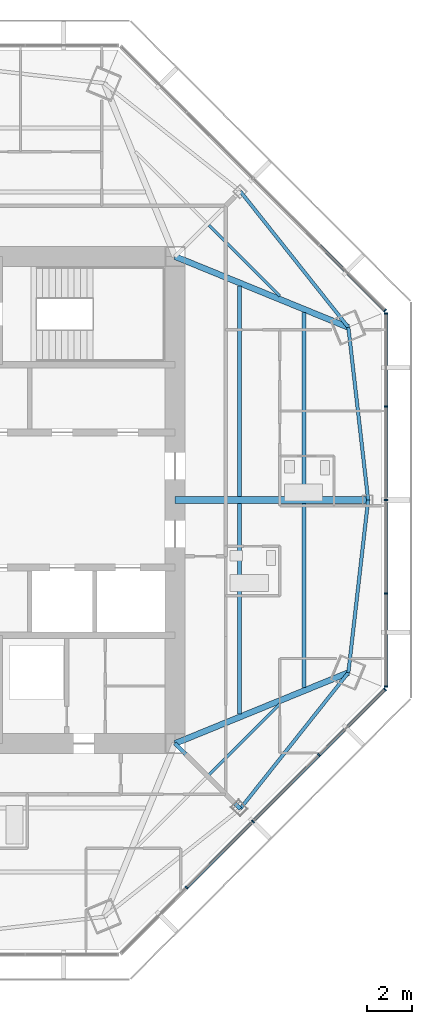
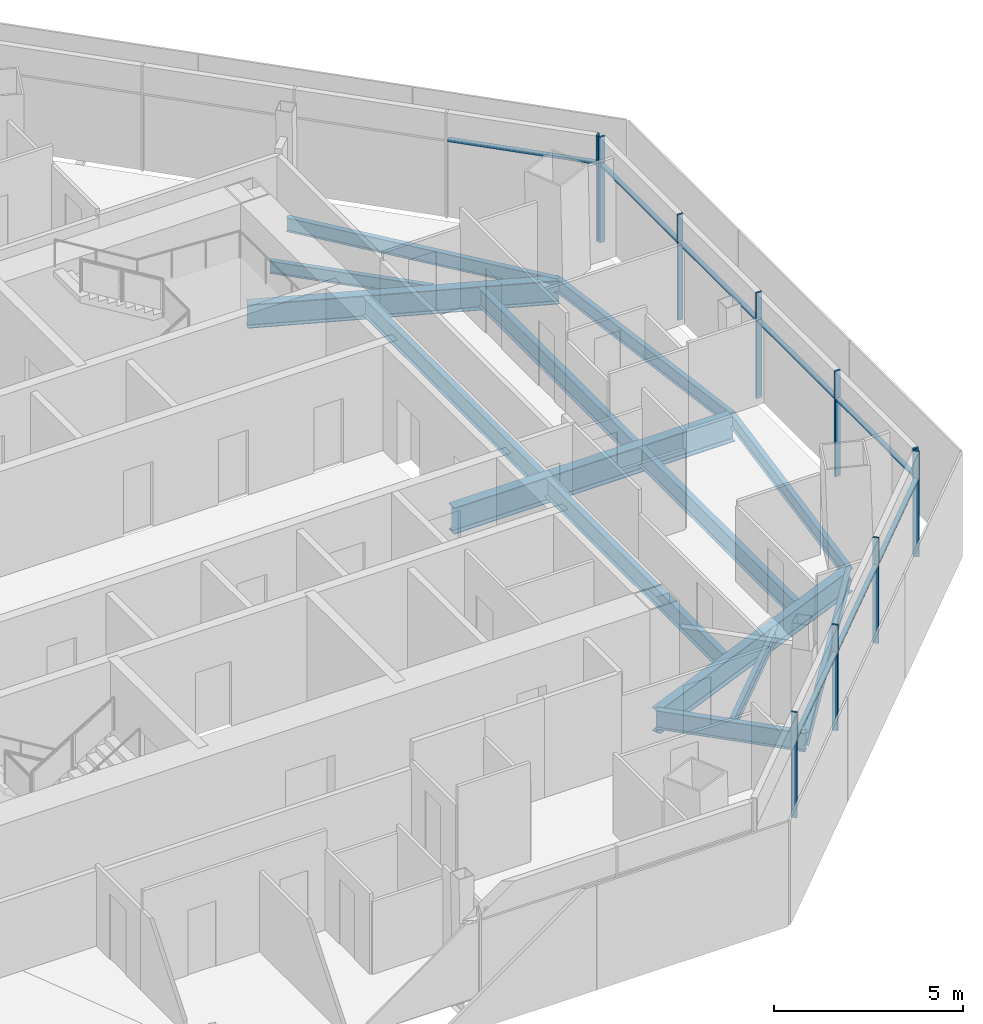
# One storey, part 5 of 15: 18 members, 14 beams, 3 elements without a shape of their own.
"""IFC4 building model written with IfcOpenShell, lengths in metres."""

import ifcopenshell
import ifcopenshell.guid

model = None  # the IFC model being written
_history = None  # IfcOwnerHistory: only IFC2X3 demands one
_inside = {}  # id of a spatial element -> (the spatial element, [elements in it])
_under = {}  # id of a project, library or spatial element -> (it, [spatial elements below it])
_declared = {}  # id of a project -> (the project, [libraries it declares])
_typed = {}  # id of a type object -> (the type object, [elements of that type])
_made_of = {}  # id of a material, layer set ... -> (it, [elements and type objects made of it])


def new_model(schema):
    """Start an empty IFC model of exactly this schema.

    Asked for "IFC4X3", IfcOpenShell would pick the latest addendum, in which some entities
    have other attributes; the version numbers below select the first issue.
    IFC2X3 requires an IfcOwnerHistory on every rooted entity: one is made here for all.
    """
    global model, _history
    if schema == "IFC4X3":
        model = ifcopenshell.file(schema_version=(4, 3, 0, 0))
    else:
        model = ifcopenshell.file(schema=schema)
    _inside.clear()
    _under.clear()
    _declared.clear()
    _typed.clear()
    _made_of.clear()
    _history = None
    if model.schema == "IFC2X3":
        org = make("IfcOrganization", Name="unknown")
        user = make(
            "IfcPersonAndOrganization",
            ThePerson=make("IfcPerson", FamilyName="unknown"),
            TheOrganization=org,
        )
        app = make(
            "IfcApplication",
            ApplicationDeveloper=org,
            Version="unknown",
            ApplicationFullName="unknown",
            ApplicationIdentifier="unknown",
        )
        _history = make(
            "IfcOwnerHistory",
            OwningUser=user,
            OwningApplication=app,
            ChangeAction="ADDED",
            CreationDate=0,
        )
    return model


def make(cls, **values):
    """One entity of the class cls with the attributes given. An attribute that is None is left unset."""
    return model.create_entity(
        cls, **{name: value for name, value in values.items() if value is not None}
    )


def rooted(cls, **values):
    """An entity with a GlobalId (a new one), such as an element, a storey or a relation."""
    return make(cls, GlobalId=ifcopenshell.guid.new(), OwnerHistory=_history, **values)


def si_unit(unit_type, name, prefix=None):
    """IfcSIUnit, for example si_unit("LENGTHUNIT", "METRE", prefix="MILLI")."""
    return make("IfcSIUnit", UnitType=unit_type, Prefix=prefix, Name=name)


def assignment(units):
    """IfcUnitAssignment: the units of a project."""
    return None if units is None else make("IfcUnitAssignment", Units=units)


def point(xyz):
    """IfcCartesianPoint."""
    return None if xyz is None else make("IfcCartesianPoint", Coordinates=xyz)


def direction(xyz):
    """IfcDirection."""
    return None if xyz is None else make("IfcDirection", DirectionRatios=xyz)


def frame(location, z_axis=None, x_axis=None):
    """IfcAxis2Placement3D, a coordinate frame: its origin and axes. An axis left out is left unset."""
    return make(
        "IfcAxis2Placement3D",
        Location=point(location),
        Axis=direction(z_axis),
        RefDirection=direction(x_axis),
    )


def frame_2d(location, x_axis=None):
    """IfcAxis2Placement2D, a coordinate frame in the plane: its origin and x axis."""
    return make(
        "IfcAxis2Placement2D", Location=point(location), RefDirection=direction(x_axis)
    )


def origin():
    """The frame at (0, 0, 0) with its axes left unset."""
    return frame((0.0, 0.0, 0.0))


def origin_2d():
    """The frame at (0, 0) in the plane with its x axis left unset."""
    return frame_2d((0.0, 0.0))


def place(relative_to, where):
    """IfcLocalPlacement: puts the frame where relative to a parent placement (None: the world)."""
    return make(
        "IfcLocalPlacement", PlacementRelTo=relative_to, RelativePlacement=where
    )


def context(
    kind, dimensions, precision=None, world=None, true_north=None, identifier=None
):
    """IfcGeometricRepresentationContext, for example the 3D "Model" context."""
    return make(
        "IfcGeometricRepresentationContext",
        ContextIdentifier=identifier,
        ContextType=kind,
        CoordinateSpaceDimension=dimensions,
        Precision=precision,
        WorldCoordinateSystem=world,
        TrueNorth=true_north,
    )


def subcontext(parent, identifier, kind, view, scale=None):
    """IfcGeometricRepresentationSubContext, for example "Body" below "Model"."""
    return make(
        "IfcGeometricRepresentationSubContext",
        ContextIdentifier=identifier,
        ContextType=kind,
        ParentContext=parent,
        TargetScale=scale,
        TargetView=view,
    )


def project(units=None, contexts=None):
    """IfcProject with its units and contexts."""
    return rooted(
        "IfcProject",
        Name="project",
        RepresentationContexts=contexts,
        UnitsInContext=assignment(units),
    )


def spatial(cls, under=None, at=None, **own):
    """A site, building, storey or space (cls), placed at a placement, below another one or the project."""
    s = rooted(cls, ObjectPlacement=at, **own)
    if under is not None:
        _under.setdefault(under.id(), (under, []))[1].append(s)
    return s


def profile(cls, at=None, kind="AREA", **sizes):
    """A parametric profile (cls). Its sizes go by their IFC names, for example OverallWidth=200.0."""
    return make(cls, ProfileType=kind, Position=at, **sizes)


def rectangle(**sizes):
    """IfcRectangleProfileDef."""
    return profile("IfcRectangleProfileDef", **sizes)


def i_section(**sizes):
    """IfcIShapeProfileDef."""
    return profile("IfcIShapeProfileDef", **sizes)


def extrude(swept, where, along, depth):
    """IfcExtrudedAreaSolid: the profile swept, set in the frame where, extruded along a direction by depth."""
    return make(
        "IfcExtrudedAreaSolid",
        SweptArea=swept,
        Position=where,
        ExtrudedDirection=direction(along),
        Depth=depth,
    )


def shape(context_of_items, identifier, shape_type, items):
    """IfcShapeRepresentation: the items that make up one representation, for example the "Body"."""
    return make(
        "IfcShapeRepresentation",
        ContextOfItems=context_of_items,
        RepresentationIdentifier=identifier,
        RepresentationType=shape_type,
        Items=items,
    )


def source(mapping_origin, context_of_items, identifier, shape_type, items):
    """IfcRepresentationMap: a shape defined once, which mapped items show again and again."""
    return make(
        "IfcRepresentationMap",
        MappingOrigin=mapping_origin,
        MappedRepresentation=shape(context_of_items, identifier, shape_type, items),
    )


def transform(
    local_origin,
    x_axis=None,
    y_axis=None,
    z_axis=None,
    scale=None,
    scale2=None,
    scale3=None,
    uniform=True,
):
    """IfcCartesianTransformationOperator3D, or its non-uniform kind. x_axis, y_axis, z_axis: its Axis1, 2, 3."""
    if uniform:
        return make(
            "IfcCartesianTransformationOperator3D",
            Axis1=direction(x_axis),
            Axis2=direction(y_axis),
            LocalOrigin=point(local_origin),
            Scale=scale,
            Axis3=direction(z_axis),
        )
    return make(
        "IfcCartesianTransformationOperator3DnonUniform",
        Axis1=direction(x_axis),
        Axis2=direction(y_axis),
        LocalOrigin=point(local_origin),
        Scale=scale,
        Axis3=direction(z_axis),
        Scale2=scale2,
        Scale3=scale3,
    )


def mapped(mapping_source, mapping_target):
    """IfcMappedItem: shows the shape of a source again, moved by a transform."""
    return make(
        "IfcMappedItem", MappingSource=mapping_source, MappingTarget=mapping_target
    )


def material(Name=None, Category=None):
    """IfcMaterial."""
    return make("IfcMaterial", Name=Name, Category=Category)


def material_profile(
    of_material, cross_section, Name=None, Category=None, Priority=None
):
    """IfcMaterialProfile: a cross section and its material."""
    return make(
        "IfcMaterialProfile",
        Name=Name,
        Material=of_material,
        Profile=cross_section,
        Priority=Priority,
        Category=Category,
    )


def profile_set(profiles, Name=None, composite=None):
    """IfcMaterialProfileSet."""
    return make(
        "IfcMaterialProfileSet",
        Name=Name,
        MaterialProfiles=profiles,
        CompositeProfile=composite,
    )


def made_of(thing, what):
    """Note that an element or type object is made of a material, layer set ...; save() writes the relation."""
    if what is not None:
        _made_of.setdefault(what.id(), (what, []))[1].append(thing)
    return thing


def type_object(cls, material=None, **own):
    """A type object (cls), such as IfcWallType, which elements share."""
    return made_of(rooted(cls, **own), material)


def type_shapes(of_type, sources):
    """Give a type object the sources (RepresentationMaps) that its elements show as mapped items."""
    of_type.RepresentationMaps = sources


def element(
    cls,
    number,
    at=None,
    inside=None,
    cuts=None,
    type_object=None,
    material=None,
    context=None,
    identifier="Body",
    shape_type=None,
    held_by="IfcProductDefinitionShape",
    body=None,
    shapes=None,
    **own,
):
    """One element of the class cls, such as IfcWall. Its Tag is "e" and its number.

    at: its placement. inside: the storey or other place that contains it. cuts: it is an
    opening in that element (IfcRelVoidsElement). A single representation is given by context,
    identifier, shape_type and body (its items); several are given by shapes. held_by: the class
    of the entity that holds the representations. save() writes the other relations.
    """
    e = rooted(cls, Tag="e%d" % number, ObjectPlacement=at, **own)
    if body is not None:
        shapes = [shape(context, identifier, shape_type, body)]
    if shapes is not None:
        e.Representation = make(held_by, Representations=shapes)
    if inside is not None:
        _inside.setdefault(inside.id(), (inside, []))[1].append(e)
    if cuts is not None:
        rooted(
            "IfcRelVoidsElement", RelatingBuildingElement=cuts, RelatedOpeningElement=e
        )
    if type_object is not None:
        _typed.setdefault(type_object.id(), (type_object, []))[1].append(e)
    return made_of(e, material)


def aggregate(whole, parts):
    """IfcRelAggregates: a whole, such as a stair, and the parts it consists of."""
    return rooted("IfcRelAggregates", RelatingObject=whole, RelatedObjects=parts)


def save(model, path):
    """Write the relations noted so far, then the file.

    IfcRelAggregates (storeys below a building ...), IfcRelContainedInSpatialStructure (elements
    in a storey), IfcRelDefinesByType, IfcRelAssociatesMaterial and IfcRelDeclares: one each for
    every whole, place, type object, material and project.
    """
    for whole, parts in _under.values():
        aggregate(whole, parts)
    for where, things in _inside.values():
        rooted(
            "IfcRelContainedInSpatialStructure",
            RelatedElements=things,
            RelatingStructure=where,
        )
    for kind, things in _typed.values():
        rooted("IfcRelDefinesByType", RelatedObjects=things, RelatingType=kind)
    for what, things in _made_of.values():
        rooted("IfcRelAssociatesMaterial", RelatedObjects=things, RelatingMaterial=what)
    for by, libraries in _declared.values():
        rooted("IfcRelDeclares", RelatingContext=by, RelatedDefinitions=libraries)
    model.write(path)


model = new_model("IFC4")

# Units and contexts
model_context = context("Model", 3, precision=1e-05, world=origin(), true_north=direction((0.0, 1.0)))
body_context = subcontext(model_context, "Body", "Model", "MODEL_VIEW")
ifc_project = project(units=[si_unit("LENGTHUNIT", "METRE"), si_unit("AREAUNIT", "SQUARE_METRE"), si_unit("VOLUMEUNIT", "CUBIC_METRE"), si_unit("PLANEANGLEUNIT", "RADIAN"), si_unit("MASSUNIT", "GRAM", prefix="KILO")], contexts=[model_context])

# Site, building, storey
site_placement = place(None, origin())
site = spatial("IfcSite", under=ifc_project, at=site_placement, CompositionType="ELEMENT")
building_placement = place(site_placement, origin())
building = spatial("IfcBuilding", under=site, at=building_placement, Name="Mashrafa Tower", CompositionType="ELEMENT")
storey_placement = place(building_placement, frame((0.0, 0.0, 277.60009765625)))
storey = spatial("IfcBuildingStorey", under=building, at=storey_placement, Name="L67", CompositionType="ELEMENT", Elevation=277.60009765625)

# Beams
ifc_material_1 = material(Name="Steel ASTM A992", Category="steel")
ifc_material_profile_1 = material_profile(ifc_material_1, i_section(OverallWidth=0.140380859375, OverallDepth=0.40380859375, WebThickness=0.007080078125, FlangeThickness=0.01123046875, FilletRadius=0.01025390625, at=origin_2d()), Name="W16X31")
ifc_profile_set_1 = profile_set([ifc_material_profile_1], Name="Steel ASTM A992")
beam_type_1 = type_object("IfcBeamType", Name="Beam W16X31", PredefinedType="BEAM", material=ifc_profile_set_1)
for number, where, z_axis, x_axis, name in (
    (1, (12.310546875, 12.1845703125, -0.402099609375), (0.707106781187, -0.707106781187, 0.0), (0.707106781187, 0.707106781187, 0.0), "Floor beam L67 019"),
    (2, (15.451171875, -9.0439453125, -0.402099609375), (-0.707106781187, -0.707106781187, 0.0), (0.707106781187, -0.707106781187, 0.0), "Floor beam L67 022"),
):
    element("IfcBeam", number, at=place(storey_placement, frame(where, z_axis=z_axis, x_axis=x_axis)), inside=storey, type_object=beam_type_1, Name=name, PredefinedType="BEAM", context=body_context, shape_type="SweptSolid", body=[
        extrude(i_section(OverallWidth=0.140380859375, OverallDepth=0.40380859375, WebThickness=0.007080078125, FlangeThickness=0.01123046875, FilletRadius=0.01025390625, at=origin_2d()), origin(), (0.0, 0.0, 1.0), 4.44140625),
    ])
ifc_material_2 = material(Name="Steel ASTM A992", Category="steel")
ifc_material_profile_2 = material_profile(ifc_material_2, i_section(OverallWidth=0.15234375, OverallDepth=0.449462890625, WebThickness=0.007568359375, FlangeThickness=0.0107421875, FilletRadius=0.01025390625, at=origin_2d()), Name="W18X35")
ifc_profile_set_2 = profile_set([ifc_material_profile_2], Name="Steel ASTM A992")
beam_type_2 = type_object("IfcBeamType", Name="Beam W18X35", PredefinedType="BEAM", material=ifc_profile_set_2)
for number, where, z_axis, x_axis, name in (
    (3, (13.69482421875, -13.69482421875, -0.4248046875), (0.62194897741, 0.783057768941, 0.0), (-0.783057768941, 0.62194897741, 0.0), "Spandrel beam L67 052"),
    (4, (18.4892578125, -7.658447265625, -0.4248046875), (0.113920842781, 0.993489829631, 0.0), (-0.993489829631, 0.113920842781, 0.0), "Spandrel beam L67 054"),
    (5, (18.4892578125, 7.658447265625, -0.4248046875), (-0.62194897741, 0.783057768941, 0.0), (-0.783057768941, -0.62194897741, 0.0), "Spandrel beam L67 055"),
    (6, (19.367431640625, 0.0, -0.4248046875), (-0.113920842781, 0.993489829631, 0.0), (-0.993489829631, -0.113920842781, 0.0), "Spandrel beam L67 056"),
):
    element("IfcBeam", number, at=place(storey_placement, frame(where, z_axis=z_axis, x_axis=x_axis)), inside=storey, type_object=beam_type_2, Name=name, PredefinedType="BEAM", context=body_context, shape_type="SweptSolid", body=[
        extrude(i_section(OverallWidth=0.15234375, OverallDepth=0.449462890625, WebThickness=0.007568359375, FlangeThickness=0.0107421875, FilletRadius=0.01025390625, at=origin_2d()), origin(), (0.0, 0.0, 1.0), 7.708740234375),
    ])
ifc_material_3 = material(Name="Steel ASTM A992", Category="steel")
ifc_material_profile_3 = material_profile(ifc_material_3, i_section(OverallWidth=0.177978515625, OverallDepth=0.599365234375, WebThickness=0.010009765625, FlangeThickness=0.012939453125, FilletRadius=0.012939453125, at=origin_2d()), Name="W24X55")
ifc_profile_set_3 = profile_set([ifc_material_profile_3], Name="Steel ASTM A992")
beam_type_3 = type_object("IfcBeamType", Name="Beam W24X55", PredefinedType="BEAM", material=ifc_profile_set_3)
for number, where, z_axis, x_axis, name in (
    (7, (13.65576171875, -0.14599609375, -0.499755859375), (0.0, -1.0, 0.0), (1.0, 0.0, 0.0), "Floor beam L67 020"),
    (8, (13.65576171875, 9.4892578125, -0.499755859375), (0.0, -1.0, 0.0), (1.0, 0.0, 0.0), "Floor beam L67 021"),
):
    element("IfcBeam", number, at=place(storey_placement, frame(where, z_axis=z_axis, x_axis=x_axis)), inside=storey, type_object=beam_type_3, Name=name, PredefinedType="BEAM", context=body_context, shape_type="SweptSolid", body=[
        extrude(i_section(OverallWidth=0.177978515625, OverallDepth=0.599365234375, WebThickness=0.010009765625, FlangeThickness=0.012939453125, FilletRadius=0.012939453125, at=origin_2d()), origin(), (0.0, 0.0, 1.0), 9.34326171875),
    ])
for number, where, z_axis, x_axis, name in (
    (9, (16.51171875, -0.14599609375, -0.499755859375), (0.0, -1.0, 0.0), (1.0, 0.0, 0.0), "Floor beam L67 023"),
    (10, (16.51171875, 8.322509765625, -0.499755859375), (0.0, -1.0, 0.0), (1.0, 0.0, 0.0), "Floor beam L67 024"),
):
    element("IfcBeam", number, at=place(storey_placement, frame(where, z_axis=z_axis, x_axis=x_axis)), inside=storey, type_object=beam_type_3, Name=name, PredefinedType="BEAM", context=body_context, shape_type="SweptSolid", body=[
        extrude(i_section(OverallWidth=0.177978515625, OverallDepth=0.599365234375, WebThickness=0.010009765625, FlangeThickness=0.012939453125, FilletRadius=0.012939453125, at=origin_2d()), origin(), (0.0, 0.0, 1.0), 8.176513671875),
    ])
beam_1_placement = place(storey_placement, frame((10.800048828125, -10.800048828125, -0.499755859375), z_axis=(0.707106781187, -0.707106781187, 0.0), x_axis=(0.707106781187, 0.707106781187, 0.0)))
element("IfcBeam", 11, at=beam_1_placement, inside=storey, type_object=beam_type_3, Name="Radial girder L67 035", PredefinedType="BEAM", context=body_context, shape_type="SweptSolid", body=[
    extrude(i_section(OverallWidth=0.177978515625, OverallDepth=0.599365234375, WebThickness=0.010009765625, FlangeThickness=0.012939453125, FilletRadius=0.012939453125, at=origin_2d()), origin(), (0.0, 0.0, 1.0), 4.09375),
])
ifc_material_4 = material(Name="Steel ASTM A992", Category="steel")
ifc_material_profile_4 = material_profile(ifc_material_4, i_section(OverallWidth=0.2666015625, OverallDepth=0.761962890625, WebThickness=0.014404296875, FlangeThickness=0.021484375, FilletRadius=0.0166015625, at=origin_2d()), Name="W30X116")
ifc_profile_set_4 = profile_set([ifc_material_profile_4], Name="Steel ASTM A992")
beam_type_4 = type_object("IfcBeamType", Name="Beam W30X116", PredefinedType="BEAM", material=ifc_profile_set_4)
for number, where, z_axis, x_axis, name in (
    (12, (10.800048828125, -10.800048828125, -0.5810546875), (0.925714948157, 0.378221938495, 0.0), (-0.378221938495, 0.925714948157, 0.0), "Radial girder L67 036"),
    (13, (10.800048828125, 10.800048828125, -0.5810546875), (0.925714948157, -0.378221938495, 0.0), (0.378221938495, 0.925714948157, 0.0), "Radial girder L67 040"),
):
    element("IfcBeam", number, at=place(storey_placement, frame(where, z_axis=z_axis, x_axis=x_axis)), inside=storey, type_object=beam_type_4, Name=name, PredefinedType="BEAM", context=body_context, shape_type="SweptSolid", body=[
        extrude(i_section(OverallWidth=0.2666015625, OverallDepth=0.761962890625, WebThickness=0.014404296875, FlangeThickness=0.021484375, FilletRadius=0.0166015625, at=origin_2d()), origin(), (0.0, 0.0, 1.0), 8.30615234375),
    ])
ifc_material_5 = material(Name="Steel ASTM A992", Category="steel")
ifc_material_profile_5 = material_profile(ifc_material_5, i_section(OverallWidth=0.2919921875, OverallDepth=0.845703125, WebThickness=0.015380859375, FlangeThickness=0.0244140625, FilletRadius=0.017333984375, at=origin_2d()), Name="W33X141")
ifc_profile_set_5 = profile_set([ifc_material_profile_5], Name="Steel ASTM A992")
beam_type_5 = type_object("IfcBeamType", Name="Beam W33X141", PredefinedType="BEAM", material=ifc_profile_set_5)
beam_2_placement = place(storey_placement, frame((10.800048828125, 0.0, -0.623046875), z_axis=(1.0, 0.0, 0.0), x_axis=(0.0, 1.0, 0.0)))
element("IfcBeam", 14, at=beam_2_placement, inside=storey, type_object=beam_type_5, Name="Radial girder L67 037", PredefinedType="BEAM", context=body_context, shape_type="SweptSolid", body=[
    extrude(i_section(OverallWidth=0.2919921875, OverallDepth=0.845703125, WebThickness=0.015380859375, FlangeThickness=0.0244140625, FilletRadius=0.017333984375, at=origin_2d()), origin(), (0.0, 0.0, 1.0), 8.5673828125),
])

# Curtain wall, members
ifc_material_6 = material(Name="Unitised aluminium curtain wall", Category="aluminium")
curtain_wall_type = type_object("IfcCurtainWallType", Name="Apartment curtain wall, zone 4 CW-D 160 deep", PredefinedType="NOTDEFINED", material=ifc_material_6)
curtain_wall_1_placement = place(storey_placement, origin())
curtain_wall_1 = element("IfcCurtainWall", 15, at=curtain_wall_1_placement, inside=storey, type_object=curtain_wall_type, Name="Apartment curtain wall, zone 4 L67 east", PredefinedType="NOTDEFINED")
ifc_material_7 = material(Name="Extruded aluminium mullion", Category="aluminium")
ifc_material_profile_6 = material_profile(ifc_material_7, rectangle(XDim=0.159912109375, YDim=0.06005859375, at=origin_2d()), Name="Mullion 60x160")
ifc_profile_set_6 = profile_set([ifc_material_profile_6], Name="Extruded aluminium mullion")
member_type_1 = type_object("IfcMemberType", Name="Mullion CW-D 60 x 160", PredefinedType="MULLION", material=ifc_profile_set_6)
shared_shape_1 = source(origin(), body_context, "Body", "SweptSolid", [
    extrude(rectangle(XDim=0.159912109375, YDim=0.06005859375, at=origin_2d()), origin(), (0.0, 0.0, 1.0), 3.39990234375),
])
type_shapes(member_type_1, [shared_shape_1])
member_1_placement = place(storey_placement, frame((20.161865234375, -8.278076171875, 0.0), z_axis=(0.0, 0.0, 1.0), x_axis=(-1.0, 0.0, 0.0)))
member_1 = element("IfcMember", 16, at=member_1_placement, type_object=member_type_1, Name="CW-D mullion 1", PredefinedType="MULLION", context=body_context, shape_type="MappedRepresentation", body=[
    mapped(shared_shape_1, transform((0.0, 0.0, 0.0))),
])
member_2_placement = place(storey_placement, frame((20.161865234375, -4.154052734375, 0.0), z_axis=(0.0, 0.0, 1.0), x_axis=(-1.0, 0.0, 0.0)))
member_2 = element("IfcMember", 17, at=member_2_placement, type_object=member_type_1, Name="CW-D mullion 2", PredefinedType="MULLION", context=body_context, shape_type="MappedRepresentation", body=[
    mapped(shared_shape_1, transform((0.0, 0.0, 0.0))),
])
member_3_placement = place(storey_placement, frame((20.161865234375, 0.0, 0.0), z_axis=(0.0, 0.0, 1.0), x_axis=(-1.0, 0.0, 0.0)))
member_3 = element("IfcMember", 18, at=member_3_placement, type_object=member_type_1, Name="CW-D mullion 3", PredefinedType="MULLION", context=body_context, shape_type="MappedRepresentation", body=[
    mapped(shared_shape_1, transform((0.0, 0.0, 0.0))),
])
member_4_placement = place(storey_placement, frame((20.161865234375, 4.154052734375, 0.0), z_axis=(0.0, 0.0, 1.0), x_axis=(-1.0, 0.0, 0.0)))
member_4 = element("IfcMember", 19, at=member_4_placement, type_object=member_type_1, Name="CW-D mullion 4", PredefinedType="MULLION", context=body_context, shape_type="MappedRepresentation", body=[
    mapped(shared_shape_1, transform((0.0, 0.0, 0.0))),
])
member_5_placement = place(storey_placement, frame((20.161865234375, 8.278076171875, 0.0), z_axis=(0.0, 0.0, 1.0), x_axis=(-1.0, 0.0, 0.0)))
member_5 = element("IfcMember", 20, at=member_5_placement, type_object=member_type_1, Name="CW-D mullion 5", PredefinedType="MULLION", context=body_context, shape_type="MappedRepresentation", body=[
    mapped(shared_shape_1, transform((0.0, 0.0, 0.0))),
])

# Curtain wall, member
curtain_wall_2_placement = place(storey_placement, origin())
curtain_wall_2 = element("IfcCurtainWall", 21, at=curtain_wall_2_placement, inside=storey, type_object=curtain_wall_type, Name="Apartment curtain wall, zone 4 L67 north-east", PredefinedType="NOTDEFINED")
member_6_placement = place(storey_placement, frame((20.110107421875, 8.403076171875, 0.0), z_axis=(0.0, 0.0, 1.0), x_axis=(-0.707106781187, -0.707106781187, 0.0)))
member_6 = element("IfcMember", 22, at=member_6_placement, type_object=member_type_1, Name="CW-D mullion 1", PredefinedType="MULLION", context=body_context, shape_type="MappedRepresentation", body=[
    mapped(shared_shape_1, transform((0.0, 0.0, 0.0))),
])

# Curtain wall, members
curtain_wall_3_placement = place(storey_placement, origin())
curtain_wall_3 = element("IfcCurtainWall", 23, at=curtain_wall_3_placement, inside=storey, type_object=curtain_wall_type, Name="Apartment curtain wall, zone 4 L67 south-east", PredefinedType="NOTDEFINED")
member_7_placement = place(storey_placement, frame((11.319091796875, -17.19384765625, 0.0), z_axis=(0.0, 0.0, 1.0), x_axis=(-0.707106781187, 0.707106781187, 0.0)))
member_7 = element("IfcMember", 24, at=member_7_placement, type_object=member_type_1, Name="CW-D mullion 2", PredefinedType="MULLION", context=body_context, shape_type="MappedRepresentation", body=[
    mapped(shared_shape_1, transform((0.0, 0.0, 0.0))),
])
member_8_placement = place(storey_placement, frame((14.256591796875, -14.256591796875, 0.0), z_axis=(0.0, 0.0, 1.0), x_axis=(-0.707106781187, 0.707106781187, 0.0)))
member_8 = element("IfcMember", 25, at=member_8_placement, type_object=member_type_1, Name="CW-D mullion 3", PredefinedType="MULLION", context=body_context, shape_type="MappedRepresentation", body=[
    mapped(shared_shape_1, transform((0.0, 0.0, 0.0))),
])
member_9_placement = place(storey_placement, frame((17.19384765625, -11.319091796875, 0.0), z_axis=(0.0, 0.0, 1.0), x_axis=(-0.707106781187, 0.707106781187, 0.0)))
member_9 = element("IfcMember", 26, at=member_9_placement, type_object=member_type_1, Name="CW-D mullion 4", PredefinedType="MULLION", context=body_context, shape_type="MappedRepresentation", body=[
    mapped(shared_shape_1, transform((0.0, 0.0, 0.0))),
])
member_10_placement = place(storey_placement, frame((20.110107421875, -8.403076171875, 0.0), z_axis=(0.0, 0.0, 1.0), x_axis=(-0.707106781187, 0.707106781187, 0.0)))
member_10 = element("IfcMember", 27, at=member_10_placement, type_object=member_type_1, Name="CW-D mullion 5", PredefinedType="MULLION", context=body_context, shape_type="MappedRepresentation", body=[
    mapped(shared_shape_1, transform((0.0, 0.0, 0.0))),
])

# Member
ifc_material_8 = material(Name="Extruded aluminium transom", Category="aluminium")
ifc_material_profile_7 = material_profile(ifc_material_8, rectangle(XDim=0.1279296875, YDim=0.074951171875, at=origin_2d()), Name="Transom 75x128")
ifc_profile_set_7 = profile_set([ifc_material_profile_7], Name="Extruded aluminium transom")
member_type_2 = type_object("IfcMemberType", Name="Transom CW-D 75 x 128", PredefinedType="MULLION", material=ifc_profile_set_7)
shared_shape_2 = source(origin(), body_context, "Body", "SweptSolid", [
    extrude(rectangle(XDim=0.1279296875, YDim=0.074951171875, at=origin_2d()), origin(), (0.0, 0.0, 1.0), 4.06396484375),
])
member_11_placement = place(storey_placement, frame((20.161865234375, -8.248046875, 2.5), z_axis=(0.0, 1.0, 0.0), x_axis=(-1.0, 0.0, 0.0)))
member_11 = element("IfcMember", 28, at=member_11_placement, type_object=member_type_2, Name="CW-D transom 1", PredefinedType="MULLION", context=body_context, shape_type="MappedRepresentation", body=[
    mapped(shared_shape_2, transform((0.0, 0.0, 0.0))),
])

member_12_placement = place(storey_placement, frame((20.161865234375, 4.18408203125, 2.5), z_axis=(0.0, 1.0, 0.0), x_axis=(-1.0, 0.0, 0.0)))
member_12 = element("IfcMember", 29, at=member_12_placement, type_object=member_type_2, Name="CW-D transom 4", PredefinedType="MULLION", context=body_context, shape_type="MappedRepresentation", body=[
    mapped(shared_shape_2, transform((0.0, 0.0, 0.0))),
])

member_13_placement = place(storey_placement, frame((20.0888671875, 8.42431640625, 2.5), z_axis=(-0.707136817793, 0.707076743304, 0.0), x_axis=(-0.707076743304, -0.707136817793, 0.0)))
member_13 = element("IfcMember", 30, at=member_13_placement, type_object=member_type_2, Name="CW-D transom 1", PredefinedType="MULLION", context=body_context, shape_type="MappedRepresentation", body=[
    mapped(shared_shape_2, transform((0.0, 0.0, 0.0))),
])

aggregate(curtain_wall_2, [member_6, member_13])

member_14_placement = place(storey_placement, frame((17.215087890625, -11.2978515625, 2.5), z_axis=(0.707136817793, 0.707076743304, 0.0), x_axis=(-0.707076743304, 0.707136817793, 0.0)))
member_14 = element("IfcMember", 31, at=member_14_placement, type_object=member_type_2, Name="CW-D transom 4", PredefinedType="MULLION", context=body_context, shape_type="MappedRepresentation", body=[
    mapped(shared_shape_2, transform((0.0, 0.0, 0.0))),
])

shared_shape_3 = source(origin(), body_context, "Body", "SweptSolid", [
    extrude(rectangle(XDim=0.1279296875, YDim=0.074951171875, at=origin_2d()), origin(), (0.0, 0.0, 1.0), 4.093994140625),
])
type_shapes(member_type_2, [shared_shape_2, shared_shape_3])
member_15_placement = place(storey_placement, frame((20.161865234375, -4.1240234375, 2.5), z_axis=(0.0, 1.0, 0.0), x_axis=(-1.0, 0.0, 0.0)))
member_15 = element("IfcMember", 32, at=member_15_placement, type_object=member_type_2, Name="CW-D transom 2", PredefinedType="MULLION", context=body_context, shape_type="MappedRepresentation", body=[
    mapped(shared_shape_3, transform((0.0, 0.0, 0.0))),
])

member_16_placement = place(storey_placement, frame((20.161865234375, 0.030029296875, 2.5), z_axis=(0.0, 1.0, 0.0), x_axis=(-1.0, 0.0, 0.0)))
member_16 = element("IfcMember", 33, at=member_16_placement, type_object=member_type_2, Name="CW-D transom 3", PredefinedType="MULLION", context=body_context, shape_type="MappedRepresentation", body=[
    mapped(shared_shape_3, transform((0.0, 0.0, 0.0))),
])

aggregate(curtain_wall_1, [member_1, member_2, member_3, member_4, member_5, member_11, member_15, member_16, member_12])

member_17_placement = place(storey_placement, frame((11.34033203125, -17.172607421875, 2.5), z_axis=(0.707136597416, 0.7070769637, 0.0), x_axis=(-0.7070769637, 0.707136597416, 0.0)))
member_17 = element("IfcMember", 34, at=member_17_placement, type_object=member_type_2, Name="CW-D transom 2", PredefinedType="MULLION", context=body_context, shape_type="MappedRepresentation", body=[
    mapped(shared_shape_3, transform((0.0, 0.0, 0.0))),
])

member_18_placement = place(storey_placement, frame((14.27783203125, -14.2353515625, 2.5), z_axis=(0.7070769637, 0.707136597416, 0.0), x_axis=(-0.707136597416, 0.7070769637, 0.0)))
member_18 = element("IfcMember", 35, at=member_18_placement, type_object=member_type_2, Name="CW-D transom 3", PredefinedType="MULLION", context=body_context, shape_type="MappedRepresentation", body=[
    mapped(shared_shape_3, transform((0.0, 0.0, 0.0))),
])

aggregate(curtain_wall_3, [member_7, member_8, member_9, member_10, member_17, member_18, member_14])

save(model, "model.ifc")
